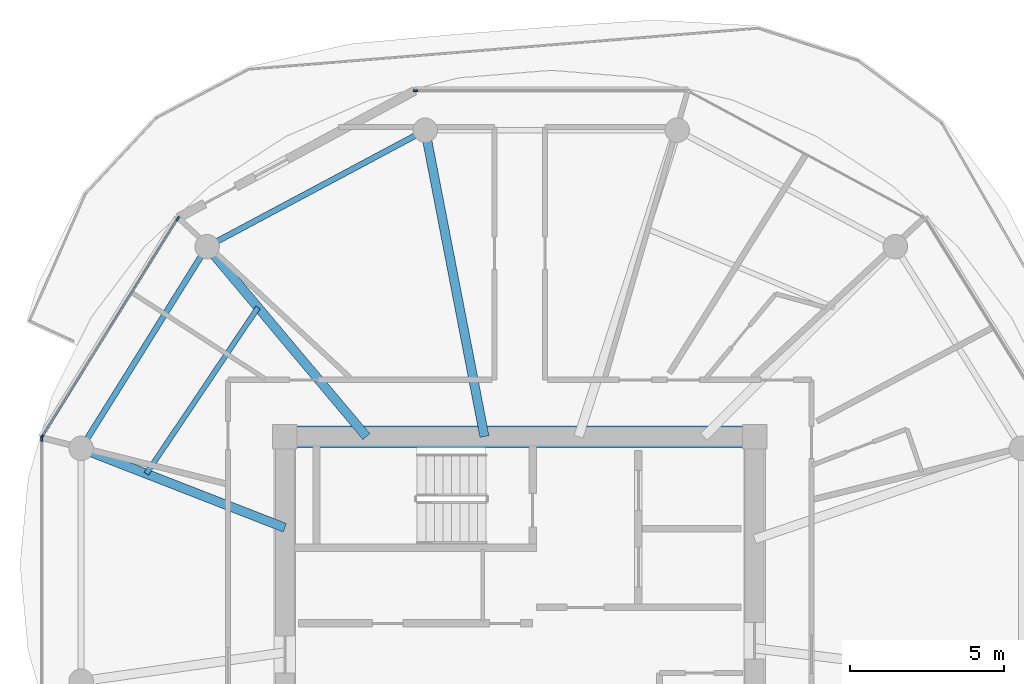
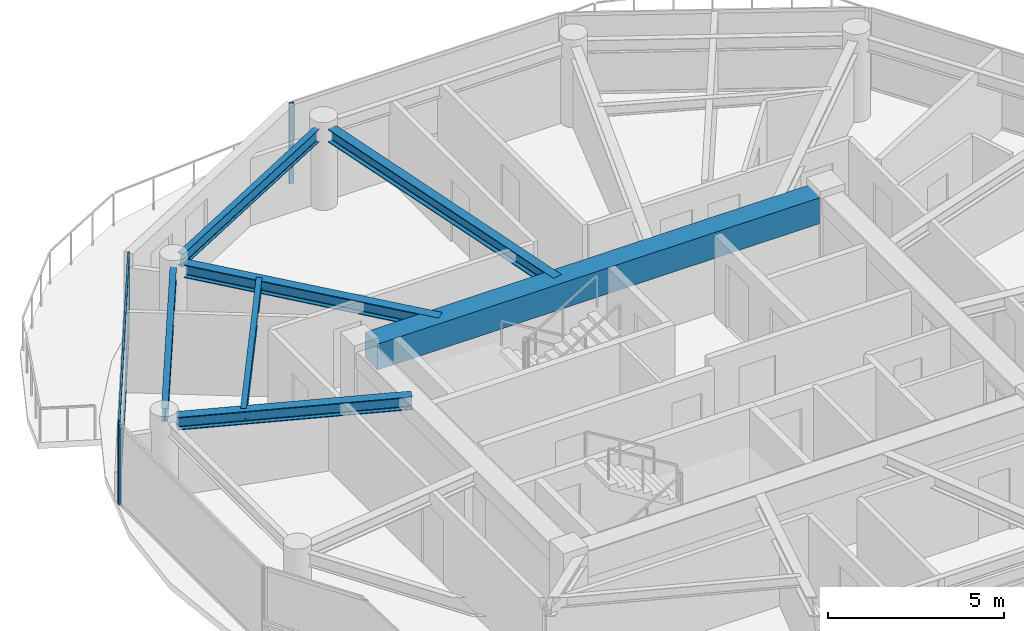
# One storey, part 4 of 21: 7 beams, 6 members, 3 elements without a shape of their own.
"""IFC4 building model written with IfcOpenShell, lengths in metres."""

import ifcopenshell
import ifcopenshell.guid

model = None  # the IFC model being written
_history = None  # IfcOwnerHistory: only IFC2X3 demands one
_inside = {}  # id of a spatial element -> (the spatial element, [elements in it])
_under = {}  # id of a project, library or spatial element -> (it, [spatial elements below it])
_declared = {}  # id of a project -> (the project, [libraries it declares])
_typed = {}  # id of a type object -> (the type object, [elements of that type])
_made_of = {}  # id of a material, layer set ... -> (it, [elements and type objects made of it])


def new_model(schema):
    """Start an empty IFC model of exactly this schema.

    Asked for "IFC4X3", IfcOpenShell would pick the latest addendum, in which some entities
    have other attributes; the version numbers below select the first issue.
    IFC2X3 requires an IfcOwnerHistory on every rooted entity: one is made here for all.
    """
    global model, _history
    if schema == "IFC4X3":
        model = ifcopenshell.file(schema_version=(4, 3, 0, 0))
    else:
        model = ifcopenshell.file(schema=schema)
    _inside.clear()
    _under.clear()
    _declared.clear()
    _typed.clear()
    _made_of.clear()
    _history = None
    if model.schema == "IFC2X3":
        org = make("IfcOrganization", Name="unknown")
        user = make(
            "IfcPersonAndOrganization",
            ThePerson=make("IfcPerson", FamilyName="unknown"),
            TheOrganization=org,
        )
        app = make(
            "IfcApplication",
            ApplicationDeveloper=org,
            Version="unknown",
            ApplicationFullName="unknown",
            ApplicationIdentifier="unknown",
        )
        _history = make(
            "IfcOwnerHistory",
            OwningUser=user,
            OwningApplication=app,
            ChangeAction="ADDED",
            CreationDate=0,
        )
    return model


def make(cls, **values):
    """One entity of the class cls with the attributes given. An attribute that is None is left unset."""
    return model.create_entity(
        cls, **{name: value for name, value in values.items() if value is not None}
    )


def rooted(cls, **values):
    """An entity with a GlobalId (a new one), such as an element, a storey or a relation."""
    return make(cls, GlobalId=ifcopenshell.guid.new(), OwnerHistory=_history, **values)


def si_unit(unit_type, name, prefix=None):
    """IfcSIUnit, for example si_unit("LENGTHUNIT", "METRE", prefix="MILLI")."""
    return make("IfcSIUnit", UnitType=unit_type, Prefix=prefix, Name=name)


def assignment(units):
    """IfcUnitAssignment: the units of a project."""
    return None if units is None else make("IfcUnitAssignment", Units=units)


def point(xyz):
    """IfcCartesianPoint."""
    return None if xyz is None else make("IfcCartesianPoint", Coordinates=xyz)


def direction(xyz):
    """IfcDirection."""
    return None if xyz is None else make("IfcDirection", DirectionRatios=xyz)


def frame(location, z_axis=None, x_axis=None):
    """IfcAxis2Placement3D, a coordinate frame: its origin and axes. An axis left out is left unset."""
    return make(
        "IfcAxis2Placement3D",
        Location=point(location),
        Axis=direction(z_axis),
        RefDirection=direction(x_axis),
    )


def frame_2d(location, x_axis=None):
    """IfcAxis2Placement2D, a coordinate frame in the plane: its origin and x axis."""
    return make(
        "IfcAxis2Placement2D", Location=point(location), RefDirection=direction(x_axis)
    )


def origin():
    """The frame at (0, 0, 0) with its axes left unset."""
    return frame((0.0, 0.0, 0.0))


def origin_2d():
    """The frame at (0, 0) in the plane with its x axis left unset."""
    return frame_2d((0.0, 0.0))


def place(relative_to, where):
    """IfcLocalPlacement: puts the frame where relative to a parent placement (None: the world)."""
    return make(
        "IfcLocalPlacement", PlacementRelTo=relative_to, RelativePlacement=where
    )


def context(
    kind, dimensions, precision=None, world=None, true_north=None, identifier=None
):
    """IfcGeometricRepresentationContext, for example the 3D "Model" context."""
    return make(
        "IfcGeometricRepresentationContext",
        ContextIdentifier=identifier,
        ContextType=kind,
        CoordinateSpaceDimension=dimensions,
        Precision=precision,
        WorldCoordinateSystem=world,
        TrueNorth=true_north,
    )


def subcontext(parent, identifier, kind, view, scale=None):
    """IfcGeometricRepresentationSubContext, for example "Body" below "Model"."""
    return make(
        "IfcGeometricRepresentationSubContext",
        ContextIdentifier=identifier,
        ContextType=kind,
        ParentContext=parent,
        TargetScale=scale,
        TargetView=view,
    )


def project(units=None, contexts=None):
    """IfcProject with its units and contexts."""
    return rooted(
        "IfcProject",
        Name="project",
        RepresentationContexts=contexts,
        UnitsInContext=assignment(units),
    )


def spatial(cls, under=None, at=None, **own):
    """A site, building, storey or space (cls), placed at a placement, below another one or the project."""
    s = rooted(cls, ObjectPlacement=at, **own)
    if under is not None:
        _under.setdefault(under.id(), (under, []))[1].append(s)
    return s


def profile(cls, at=None, kind="AREA", **sizes):
    """A parametric profile (cls). Its sizes go by their IFC names, for example OverallWidth=200.0."""
    return make(cls, ProfileType=kind, Position=at, **sizes)


def rectangle(**sizes):
    """IfcRectangleProfileDef."""
    return profile("IfcRectangleProfileDef", **sizes)


def i_section(**sizes):
    """IfcIShapeProfileDef."""
    return profile("IfcIShapeProfileDef", **sizes)


def extrude(swept, where, along, depth):
    """IfcExtrudedAreaSolid: the profile swept, set in the frame where, extruded along a direction by depth."""
    return make(
        "IfcExtrudedAreaSolid",
        SweptArea=swept,
        Position=where,
        ExtrudedDirection=direction(along),
        Depth=depth,
    )


def shape(context_of_items, identifier, shape_type, items):
    """IfcShapeRepresentation: the items that make up one representation, for example the "Body"."""
    return make(
        "IfcShapeRepresentation",
        ContextOfItems=context_of_items,
        RepresentationIdentifier=identifier,
        RepresentationType=shape_type,
        Items=items,
    )


def source(mapping_origin, context_of_items, identifier, shape_type, items):
    """IfcRepresentationMap: a shape defined once, which mapped items show again and again."""
    return make(
        "IfcRepresentationMap",
        MappingOrigin=mapping_origin,
        MappedRepresentation=shape(context_of_items, identifier, shape_type, items),
    )


def transform(
    local_origin,
    x_axis=None,
    y_axis=None,
    z_axis=None,
    scale=None,
    scale2=None,
    scale3=None,
    uniform=True,
):
    """IfcCartesianTransformationOperator3D, or its non-uniform kind. x_axis, y_axis, z_axis: its Axis1, 2, 3."""
    if uniform:
        return make(
            "IfcCartesianTransformationOperator3D",
            Axis1=direction(x_axis),
            Axis2=direction(y_axis),
            LocalOrigin=point(local_origin),
            Scale=scale,
            Axis3=direction(z_axis),
        )
    return make(
        "IfcCartesianTransformationOperator3DnonUniform",
        Axis1=direction(x_axis),
        Axis2=direction(y_axis),
        LocalOrigin=point(local_origin),
        Scale=scale,
        Axis3=direction(z_axis),
        Scale2=scale2,
        Scale3=scale3,
    )


def mapped(mapping_source, mapping_target):
    """IfcMappedItem: shows the shape of a source again, moved by a transform."""
    return make(
        "IfcMappedItem", MappingSource=mapping_source, MappingTarget=mapping_target
    )


def material(Name=None, Category=None):
    """IfcMaterial."""
    return make("IfcMaterial", Name=Name, Category=Category)


def layer(
    of_material, thickness, ventilated=None, Name=None, Category=None, Priority=None
):
    """IfcMaterialLayer: one layer of a wall or slab, of a material (None: an air gap)."""
    return make(
        "IfcMaterialLayer",
        Material=of_material,
        LayerThickness=thickness,
        IsVentilated=ventilated,
        Name=Name,
        Category=Category,
        Priority=Priority,
    )


def layer_set(layers, Name=None):
    """IfcMaterialLayerSet."""
    return make("IfcMaterialLayerSet", MaterialLayers=layers, LayerSetName=Name)


def material_profile(
    of_material, cross_section, Name=None, Category=None, Priority=None
):
    """IfcMaterialProfile: a cross section and its material."""
    return make(
        "IfcMaterialProfile",
        Name=Name,
        Material=of_material,
        Profile=cross_section,
        Priority=Priority,
        Category=Category,
    )


def profile_set(profiles, Name=None, composite=None):
    """IfcMaterialProfileSet."""
    return make(
        "IfcMaterialProfileSet",
        Name=Name,
        MaterialProfiles=profiles,
        CompositeProfile=composite,
    )


def made_of(thing, what):
    """Note that an element or type object is made of a material, layer set ...; save() writes the relation."""
    if what is not None:
        _made_of.setdefault(what.id(), (what, []))[1].append(thing)
    return thing


def type_object(cls, material=None, **own):
    """A type object (cls), such as IfcWallType, which elements share."""
    return made_of(rooted(cls, **own), material)


def type_shapes(of_type, sources):
    """Give a type object the sources (RepresentationMaps) that its elements show as mapped items."""
    of_type.RepresentationMaps = sources


def element(
    cls,
    number,
    at=None,
    inside=None,
    cuts=None,
    type_object=None,
    material=None,
    context=None,
    identifier="Body",
    shape_type=None,
    held_by="IfcProductDefinitionShape",
    body=None,
    shapes=None,
    **own,
):
    """One element of the class cls, such as IfcWall. Its Tag is "e" and its number.

    at: its placement. inside: the storey or other place that contains it. cuts: it is an
    opening in that element (IfcRelVoidsElement). A single representation is given by context,
    identifier, shape_type and body (its items); several are given by shapes. held_by: the class
    of the entity that holds the representations. save() writes the other relations.
    """
    e = rooted(cls, Tag="e%d" % number, ObjectPlacement=at, **own)
    if body is not None:
        shapes = [shape(context, identifier, shape_type, body)]
    if shapes is not None:
        e.Representation = make(held_by, Representations=shapes)
    if inside is not None:
        _inside.setdefault(inside.id(), (inside, []))[1].append(e)
    if cuts is not None:
        rooted(
            "IfcRelVoidsElement", RelatingBuildingElement=cuts, RelatedOpeningElement=e
        )
    if type_object is not None:
        _typed.setdefault(type_object.id(), (type_object, []))[1].append(e)
    return made_of(e, material)


def aggregate(whole, parts):
    """IfcRelAggregates: a whole, such as a stair, and the parts it consists of."""
    return rooted("IfcRelAggregates", RelatingObject=whole, RelatedObjects=parts)


def save(model, path):
    """Write the relations noted so far, then the file.

    IfcRelAggregates (storeys below a building ...), IfcRelContainedInSpatialStructure (elements
    in a storey), IfcRelDefinesByType, IfcRelAssociatesMaterial and IfcRelDeclares: one each for
    every whole, place, type object, material and project.
    """
    for whole, parts in _under.values():
        aggregate(whole, parts)
    for where, things in _inside.values():
        rooted(
            "IfcRelContainedInSpatialStructure",
            RelatedElements=things,
            RelatingStructure=where,
        )
    for kind, things in _typed.values():
        rooted("IfcRelDefinesByType", RelatedObjects=things, RelatingType=kind)
    for what, things in _made_of.values():
        rooted("IfcRelAssociatesMaterial", RelatedObjects=things, RelatingMaterial=what)
    for by, libraries in _declared.values():
        rooted("IfcRelDeclares", RelatingContext=by, RelatedDefinitions=libraries)
    model.write(path)


model = new_model("IFC4")

# Units and contexts
model_context = context("Model", 3, precision=1e-05, world=origin(), true_north=direction((0.0, 1.0)))
body_context = subcontext(model_context, "Body", "Model", "MODEL_VIEW")
ifc_project = project(units=[si_unit("LENGTHUNIT", "METRE"), si_unit("AREAUNIT", "SQUARE_METRE"), si_unit("VOLUMEUNIT", "CUBIC_METRE"), si_unit("PLANEANGLEUNIT", "RADIAN"), si_unit("MASSUNIT", "GRAM", prefix="KILO")], contexts=[model_context])

# Site, building, storey
site_placement = place(None, origin())
site = spatial("IfcSite", under=ifc_project, at=site_placement, CompositionType="ELEMENT")
building_placement = place(site_placement, origin())
building = spatial("IfcBuilding", under=site, at=building_placement, Name="Norrkilde Senior Care Towers", CompositionType="ELEMENT")
storey_placement = place(building_placement, frame((0.0, 0.0, 149.550048828125)))
storey = spatial("IfcBuildingStorey", under=building, at=storey_placement, Name="L46", CompositionType="ELEMENT", Elevation=149.550048828125)

# Beams
ifc_material_1 = material(Name="Concrete C60/75", Category="concrete")
ifc_material_profile_1 = material_profile(ifc_material_1, rectangle(XDim=0.699951171875, YDim=0.89990234375, at=origin_2d()), Name="RC BM 700x900")
ifc_profile_set_1 = profile_set([ifc_material_profile_1], Name="Concrete C60/75")
beam_type_1 = type_object("IfcBeamType", Name="Core Coupling Girder 700x900", PredefinedType="USERDEFINED", material=ifc_profile_set_1)
shared_shape_1 = source(origin(), body_context, "Body", "SweptSolid", [
    extrude(rectangle(XDim=0.699951171875, YDim=0.89990234375, at=origin_2d()), origin(), (0.0, 0.0, 1.0), 14.5400390625),
])
type_shapes(beam_type_1, [shared_shape_1])
beam_1_placement = place(storey_placement, frame((-35.27001953125, 5.949951171875, 2.35986328125), z_axis=(1.0, 0.0, 0.0), x_axis=(0.0, 1.0, 0.0)))
element("IfcBeam", 1, at=beam_1_placement, inside=storey, type_object=beam_type_1, Name="L46 Core W N Coupling Girder", ObjectType="GIRDER", PredefinedType="USERDEFINED", context=body_context, shape_type="MappedRepresentation", body=[
    mapped(shared_shape_1, transform((0.0, 0.0, 0.0), x_axis=(1.0, 0.0, 0.0), y_axis=(0.0, 1.0, 0.0), z_axis=(0.0, 0.0, 1.0), scale=1.0)),
])
ifc_material_2 = material(Name="Steel S355", Category="steel")
ifc_material_profile_2 = material_profile(ifc_material_2, i_section(OverallWidth=0.18994140625, OverallDepth=0.449951171875, WebThickness=0.009521484375, FlangeThickness=0.0146484375, FilletRadius=0.02099609375, at=origin_2d()), Name="IPE 450")
ifc_profile_set_2 = profile_set([ifc_material_profile_2], Name="Steel S355")
beam_type_2 = type_object("IfcBeamType", Name="Perimeter Ring Spandrel Z3 IPE450", PredefinedType="SPANDREL", material=ifc_profile_set_2)
shared_shape_2 = source(origin(), body_context, "Body", "SweptSolid", [
    extrude(i_section(OverallWidth=0.18994140625, OverallDepth=0.449951171875, WebThickness=0.009521484375, FlangeThickness=0.0146484375, FilletRadius=0.02099609375, at=origin_2d()), origin(), (0.0, 0.0, 1.0), 7.0234375),
])
beam_2_placement = place(storey_placement, frame((-38.373291015625, 11.8291015625, 2.5849609375), z_axis=(-0.529789577822, -0.848129119433, 0.0), x_axis=(0.848129119433, -0.529789577822, 0.0)))
element("IfcBeam", 2, at=beam_2_placement, inside=storey, type_object=beam_type_2, Name="L46 Drum W Perimeter Spandrel 05", PredefinedType="SPANDREL", context=body_context, shape_type="MappedRepresentation", body=[
    mapped(shared_shape_2, transform((0.0, 0.0, 0.0), x_axis=(1.0, 0.0, 0.0), y_axis=(0.0, 1.0, 0.0), z_axis=(0.0, 0.0, 1.0), scale=1.0)),
])
shared_shape_3 = source(origin(), body_context, "Body", "SweptSolid", [
    extrude(i_section(OverallWidth=0.18994140625, OverallDepth=0.449951171875, WebThickness=0.009521484375, FlangeThickness=0.0146484375, FilletRadius=0.02099609375, at=origin_2d()), origin(), (0.0, 0.0, 1.0), 7.333740234375),
])
type_shapes(beam_type_2, [shared_shape_2, shared_shape_3])
beam_3_placement = place(storey_placement, frame((-31.394775390625, 15.756591796875, 2.5849609375), z_axis=(-0.882247866069, -0.470785198172, 0.0), x_axis=(0.470785198172, -0.882247866069, 0.0)))
element("IfcBeam", 3, at=beam_3_placement, inside=storey, type_object=beam_type_2, Name="L46 Drum W Perimeter Spandrel 04", PredefinedType="SPANDREL", context=body_context, shape_type="MappedRepresentation", body=[
    mapped(shared_shape_3, transform((0.0, 0.0, 0.0), x_axis=(1.0, 0.0, 0.0), y_axis=(0.0, 1.0, 0.0), z_axis=(0.0, 0.0, 1.0), scale=1.0)),
])
ifc_material_profile_3 = material_profile(ifc_material_2, i_section(OverallWidth=0.300048828125, OverallDepth=0.449951171875, WebThickness=0.013916015625, FlangeThickness=0.02587890625, FilletRadius=0.027099609375, at=origin_2d()), Name="HEB 450")
ifc_profile_set_3 = profile_set([ifc_material_profile_3], Name="Steel S355")
beam_type_3 = type_object("IfcBeamType", Name="Radial Floor Beam Z3 HEB450", PredefinedType="BEAM", material=ifc_profile_set_3)
shared_shape_4 = source(origin(), body_context, "Body", "SweptSolid", [
    extrude(i_section(OverallWidth=0.300048828125, OverallDepth=0.449951171875, WebThickness=0.013916015625, FlangeThickness=0.02587890625, FilletRadius=0.027099609375, at=origin_2d()), origin(), (0.0, 0.0, 1.0), 9.80078125),
])
beam_4_placement = place(storey_placement, frame((-29.149658203125, 5.949951171875, 2.5849609375), z_axis=(-0.189716727661, 0.98183886827, 0.0), x_axis=(-0.98183886827, -0.189716727661, 0.0)))
element("IfcBeam", 4, at=beam_4_placement, inside=storey, type_object=beam_type_3, Name="L46 Drum W Radial Floor Beam 04", PredefinedType="BEAM", context=body_context, shape_type="MappedRepresentation", body=[
    mapped(shared_shape_4, transform((0.0, 0.0, 0.0), x_axis=(1.0, 0.0, 0.0), y_axis=(0.0, 1.0, 0.0), z_axis=(0.0, 0.0, 1.0), scale=1.0)),
])
shared_shape_5 = source(origin(), body_context, "Body", "SweptSolid", [
    extrude(i_section(OverallWidth=0.300048828125, OverallDepth=0.449951171875, WebThickness=0.013916015625, FlangeThickness=0.02587890625, FilletRadius=0.027099609375, at=origin_2d()), origin(), (0.0, 0.0, 1.0), 7.71337890625),
])
beam_5_placement = place(storey_placement, frame((-32.992919921875, 5.949951171875, 2.5849609375), z_axis=(-0.642808239864, 0.766027131872, 0.0), x_axis=(-0.766027131872, -0.642808239864, 0.0)))
element("IfcBeam", 5, at=beam_5_placement, inside=storey, type_object=beam_type_3, Name="L46 Drum W Radial Floor Beam 05", PredefinedType="BEAM", context=body_context, shape_type="MappedRepresentation", body=[
    mapped(shared_shape_5, transform((0.0, 0.0, 0.0), x_axis=(1.0, 0.0, 0.0), y_axis=(0.0, 1.0, 0.0), z_axis=(0.0, 0.0, 1.0), scale=1.0)),
])
shared_shape_6 = source(origin(), body_context, "Body", "SweptSolid", [
    extrude(i_section(OverallWidth=0.300048828125, OverallDepth=0.449951171875, WebThickness=0.013916015625, FlangeThickness=0.02587890625, FilletRadius=0.027099609375, at=origin_2d()), origin(), (0.0, 0.0, 1.0), 6.760986328125),
])
type_shapes(beam_type_3, [shared_shape_4, shared_shape_5, shared_shape_6])
beam_6_placement = place(storey_placement, frame((-35.64990234375, 2.981201171875, 2.5849609375), z_axis=(-0.931742171387, 0.363120539297, 0.0), x_axis=(-0.363120539297, -0.931742171387, 0.0)))
element("IfcBeam", 6, at=beam_6_placement, inside=storey, type_object=beam_type_3, Name="L46 Drum W Radial Floor Beam 06", PredefinedType="BEAM", context=body_context, shape_type="MappedRepresentation", body=[
    mapped(shared_shape_6, transform((0.0, 0.0, 0.0), x_axis=(1.0, 0.0, 0.0), y_axis=(0.0, 1.0, 0.0), z_axis=(0.0, 0.0, 1.0), scale=1.0)),
])
ifc_material_profile_4 = material_profile(ifc_material_2, i_section(OverallWidth=0.169921875, OverallDepth=0.360107421875, WebThickness=0.008056640625, FlangeThickness=0.0126953125, FilletRadius=0.01806640625, at=origin_2d()), Name="IPE 360")
ifc_profile_set_4 = profile_set([ifc_material_profile_4], Name="Steel S355")
beam_type_4 = type_object("IfcBeamType", Name="Secondary Floor Joist IPE360", PredefinedType="JOIST", material=ifc_profile_set_4)
shared_shape_7 = source(origin(), body_context, "Body", "SweptSolid", [
    extrude(i_section(OverallWidth=0.169921875, OverallDepth=0.360107421875, WebThickness=0.008056640625, FlangeThickness=0.0126953125, FilletRadius=0.01806640625, at=origin_2d()), origin(), (0.0, 0.0, 1.0), 6.525390625),
])
type_shapes(beam_type_4, [shared_shape_7])
beam_7_placement = place(storey_placement, frame((-36.52197265625, 10.155517578125, 2.6298828125), z_axis=(-0.55779590102, -0.829978152005, 0.0), x_axis=(0.829978152005, -0.55779590102, 0.0)))
element("IfcBeam", 7, at=beam_7_placement, inside=storey, type_object=beam_type_4, Name="L46 Drum W Secondary Floor Joist 2", PredefinedType="JOIST", context=body_context, shape_type="MappedRepresentation", body=[
    mapped(shared_shape_7, transform((0.0, 0.0, 0.0), x_axis=(1.0, 0.0, 0.0), y_axis=(0.0, 1.0, 0.0), z_axis=(0.0, 0.0, 1.0), scale=1.0)),
])

# Curtain wall, member
ifc_material_3 = material(Name="Triple Low-E Insulated Glazing", Category="glass")
ifc_layer = layer(ifc_material_3, 0.18994140625)
ifc_layer_set = layer_set([ifc_layer], Name="Triple Low-E Insulated Glazing")
curtain_wall_type = type_object("IfcCurtainWallType", Name="CW4 Zone 3 Senior Residence Curtain Wall", PredefinedType="NOTDEFINED", material=ifc_layer_set)
curtain_wall_1_placement = place(storey_placement, origin())
curtain_wall_1 = element("IfcCurtainWall", 8, at=curtain_wall_1_placement, inside=storey, type_object=curtain_wall_type, Name="L46 Drum W Curtain Wall 02", PredefinedType="NOTDEFINED")
ifc_material_4 = material(Name="Anodised Aluminium", Category="aluminium")
ifc_material_profile_5 = material_profile(ifc_material_4, rectangle(XDim=0.06494140625, YDim=0.14990234375, at=origin_2d()), Name="ALU MULL 65x150")
ifc_profile_set_5 = profile_set([ifc_material_profile_5], Name="Anodised Aluminium")
member_type_1 = type_object("IfcMemberType", Name="Curtain Wall Mullion Z3-Z4 65x150", PredefinedType="MULLION", material=ifc_profile_set_5)
shared_shape_8 = source(origin(), body_context, "Body", "SweptSolid", [
    extrude(rectangle(XDim=0.06494140625, YDim=0.14990234375, at=origin_2d()), origin(), (0.0, 0.0, 1.0), 2.81005859375),
])
type_shapes(member_type_1, [shared_shape_8])
member_1_placement = place(storey_placement, frame((-31.388916015625, 17.2109375, 0.0), z_axis=(0.0, 0.0, 1.0), x_axis=(0.0, 1.0, 0.0)))
member_1 = element("IfcMember", 9, at=member_1_placement, type_object=member_type_1, Name="CW-4 mullion 1", PredefinedType="MULLION", context=body_context, shape_type="MappedRepresentation", body=[
    mapped(shared_shape_8, transform((0.0, 0.0, 0.0), x_axis=(1.0, 0.0, 0.0), y_axis=(0.0, 1.0, 0.0), z_axis=(0.0, 0.0, 1.0), scale=1.0)),
])
aggregate(curtain_wall_1, [member_1])

# Curtain wall, members
curtain_wall_2_placement = place(storey_placement, origin())
curtain_wall_2 = element("IfcCurtainWall", 10, at=curtain_wall_2_placement, inside=storey, type_object=curtain_wall_type, Name="L46 Drum W Curtain Wall 04", PredefinedType="NOTDEFINED")
member_2_placement = place(storey_placement, frame((-43.552490234375, 5.93896484375, 0.0), z_axis=(0.0, 0.0, 1.0), x_axis=(-0.84963405474, 0.52737270789, 0.0)))
member_2 = element("IfcMember", 11, at=member_2_placement, type_object=member_type_1, Name="CW-4 mullion 1", PredefinedType="MULLION", context=body_context, shape_type="MappedRepresentation", body=[
    mapped(shared_shape_8, transform((0.0, 0.0, 0.0), x_axis=(1.0, 0.0, 0.0), y_axis=(0.0, 1.0, 0.0), z_axis=(0.0, 0.0, 1.0), scale=1.0)),
])
member_3_placement = place(storey_placement, frame((-39.14013671875, 13.04736328125, 0.0), z_axis=(0.0, 0.0, 1.0), x_axis=(-0.84963405474, 0.52737270789, 0.0)))
member_3 = element("IfcMember", 12, at=member_3_placement, type_object=member_type_1, Name="CW-4 mullion 2", PredefinedType="MULLION", context=body_context, shape_type="MappedRepresentation", body=[
    mapped(shared_shape_8, transform((0.0, 0.0, 0.0), x_axis=(1.0, 0.0, 0.0), y_axis=(0.0, 1.0, 0.0), z_axis=(0.0, 0.0, 1.0), scale=1.0)),
])

# Curtain wall, member
curtain_wall_3_placement = place(storey_placement, origin())
curtain_wall_3 = element("IfcCurtainWall", 13, at=curtain_wall_3_placement, inside=storey, type_object=curtain_wall_type, Name="L46 Drum W Curtain Wall 05", PredefinedType="NOTDEFINED")
member_4_placement = place(storey_placement, frame((-43.569580078125, 5.878662109375, 0.0), z_axis=(0.0, 0.0, 1.0), x_axis=(-1.0, 0.0, 0.0)))
member_4 = element("IfcMember", 14, at=member_4_placement, type_object=member_type_1, Name="CW-4 mullion 2", PredefinedType="MULLION", context=body_context, shape_type="MappedRepresentation", body=[
    mapped(shared_shape_8, transform((0.0, 0.0, 0.0), x_axis=(1.0, 0.0, 0.0), y_axis=(0.0, 1.0, 0.0), z_axis=(0.0, 0.0, 1.0), scale=1.0)),
])
aggregate(curtain_wall_3, [member_4])

# Member
ifc_material_profile_6 = material_profile(ifc_material_4, rectangle(XDim=0.06005859375, YDim=0.1201171875, at=origin_2d()), Name="ALU TRAN 60x120")
ifc_profile_set_6 = profile_set([ifc_material_profile_6], Name="Anodised Aluminium")
member_type_2 = type_object("IfcMemberType", Name="Curtain Wall Transom Typical 60x120", PredefinedType="USERDEFINED", material=ifc_profile_set_6)
shared_shape_9 = source(origin(), body_context, "Body", "SweptSolid", [
    extrude(rectangle(XDim=0.06005859375, YDim=0.1201171875, at=origin_2d()), origin(), (0.0, 0.0, 1.0), 8.301513671875),
])
type_shapes(member_type_2, [shared_shape_9])
member_5_placement = place(storey_placement, frame((-43.535400390625, 5.966552734375, 0.030029296875), z_axis=(0.527368718394, 0.849636531029, 0.0), x_axis=(-0.849636531029, 0.527368718394, 0.0)))
member_5 = element("IfcMember", 15, at=member_5_placement, type_object=member_type_2, Name="CW-4 transom 1.1", ObjectType="TRANSOM", PredefinedType="USERDEFINED", context=body_context, shape_type="MappedRepresentation", body=[
    mapped(shared_shape_9, transform((0.0, 0.0, 0.0), x_axis=(1.0, 0.0, 0.0), y_axis=(0.0, 1.0, 0.0), z_axis=(0.0, 0.0, 1.0), scale=1.0)),
])

member_6_placement = place(storey_placement, frame((-43.535400390625, 5.966552734375, 2.780029296875), z_axis=(0.527368718394, 0.849636531029, 0.0), x_axis=(-0.849636531029, 0.527368718394, 0.0)))
member_6 = element("IfcMember", 16, at=member_6_placement, type_object=member_type_2, Name="CW-4 transom 1.2", ObjectType="TRANSOM", PredefinedType="USERDEFINED", context=body_context, shape_type="MappedRepresentation", body=[
    mapped(shared_shape_9, transform((0.0, 0.0, 0.0), x_axis=(1.0, 0.0, 0.0), y_axis=(0.0, 1.0, 0.0), z_axis=(0.0, 0.0, 1.0), scale=1.0)),
])

aggregate(curtain_wall_2, [member_2, member_3, member_5, member_6])

save(model, "model.ifc")
